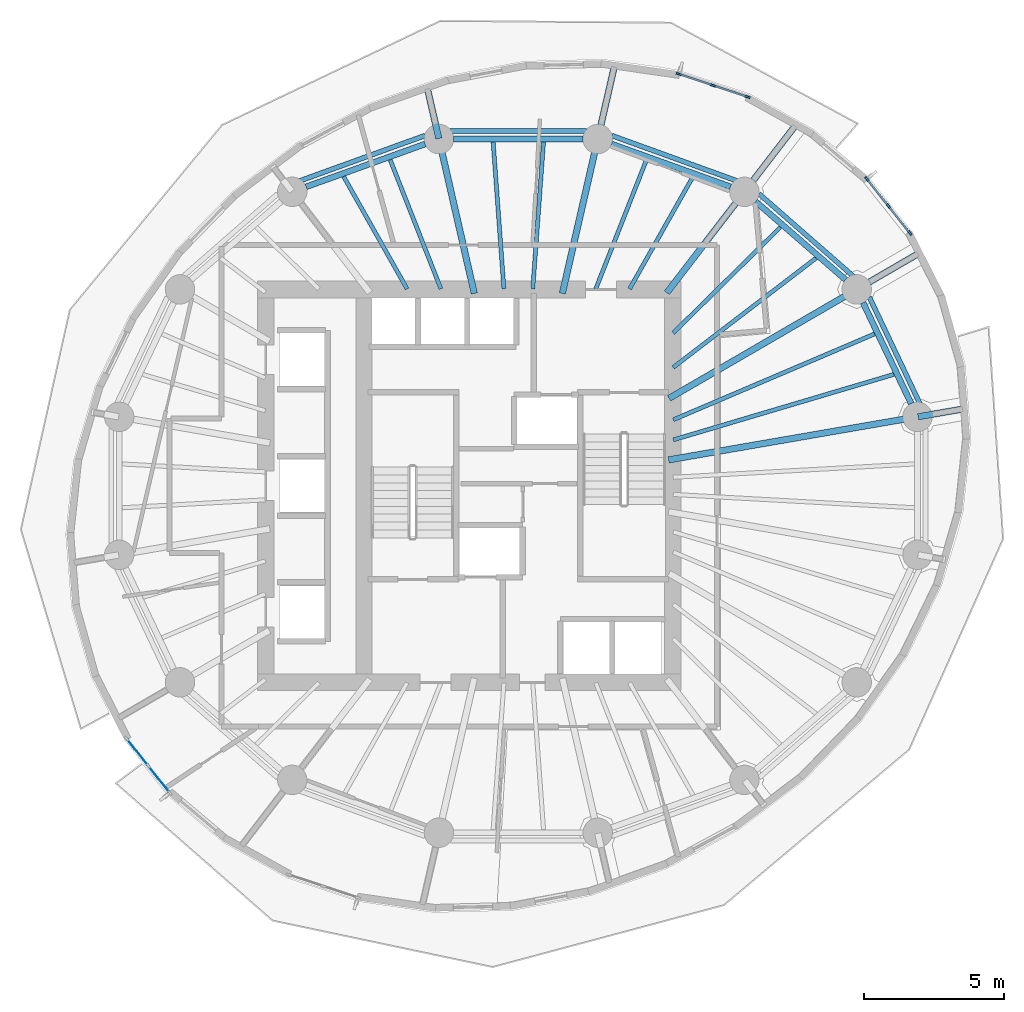
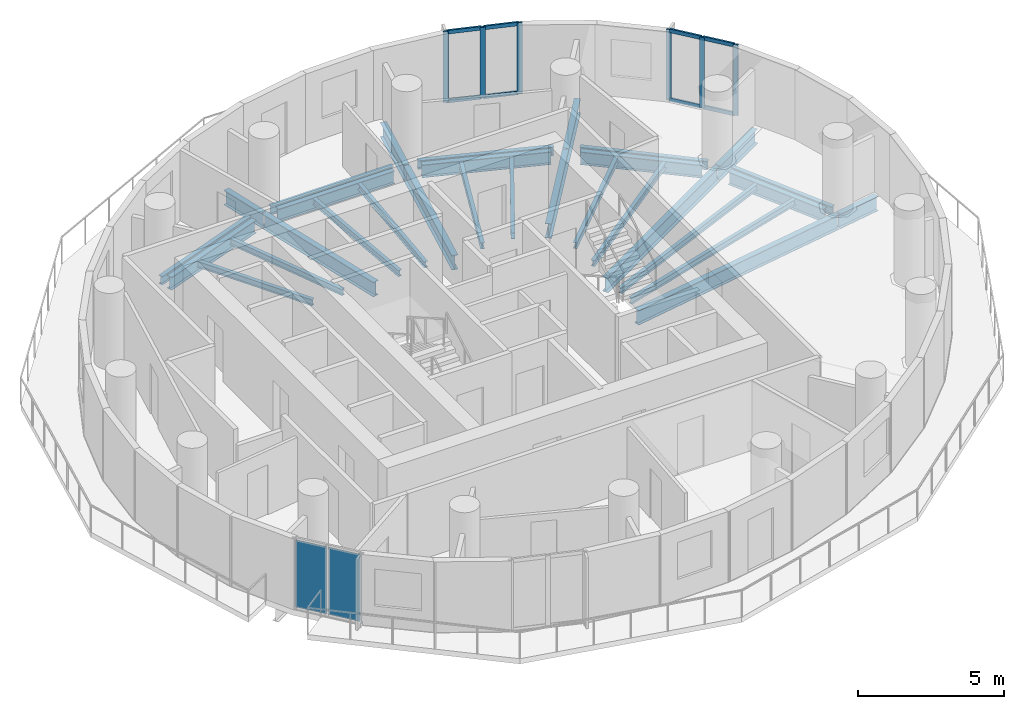
# One storey, part 3 of 12: 30 beams, 14 members, 2 plates, 3 elements without a shape of their own.
"""IFC4 building model written with IfcOpenShell, lengths in metres."""

import ifcopenshell
import ifcopenshell.guid

model = None  # the IFC model being written
_history = None  # IfcOwnerHistory: only IFC2X3 demands one
_inside = {}  # id of a spatial element -> (the spatial element, [elements in it])
_under = {}  # id of a project, library or spatial element -> (it, [spatial elements below it])
_declared = {}  # id of a project -> (the project, [libraries it declares])
_typed = {}  # id of a type object -> (the type object, [elements of that type])
_made_of = {}  # id of a material, layer set ... -> (it, [elements and type objects made of it])


def new_model(schema):
    """Start an empty IFC model of exactly this schema.

    Asked for "IFC4X3", IfcOpenShell would pick the latest addendum, in which some entities
    have other attributes; the version numbers below select the first issue.
    IFC2X3 requires an IfcOwnerHistory on every rooted entity: one is made here for all.
    """
    global model, _history
    if schema == "IFC4X3":
        model = ifcopenshell.file(schema_version=(4, 3, 0, 0))
    else:
        model = ifcopenshell.file(schema=schema)
    _inside.clear()
    _under.clear()
    _declared.clear()
    _typed.clear()
    _made_of.clear()
    _history = None
    if model.schema == "IFC2X3":
        org = make("IfcOrganization", Name="unknown")
        user = make(
            "IfcPersonAndOrganization",
            ThePerson=make("IfcPerson", FamilyName="unknown"),
            TheOrganization=org,
        )
        app = make(
            "IfcApplication",
            ApplicationDeveloper=org,
            Version="unknown",
            ApplicationFullName="unknown",
            ApplicationIdentifier="unknown",
        )
        _history = make(
            "IfcOwnerHistory",
            OwningUser=user,
            OwningApplication=app,
            ChangeAction="ADDED",
            CreationDate=0,
        )
    return model


def make(cls, **values):
    """One entity of the class cls with the attributes given. An attribute that is None is left unset."""
    return model.create_entity(
        cls, **{name: value for name, value in values.items() if value is not None}
    )


def rooted(cls, **values):
    """An entity with a GlobalId (a new one), such as an element, a storey or a relation."""
    return make(cls, GlobalId=ifcopenshell.guid.new(), OwnerHistory=_history, **values)


def si_unit(unit_type, name, prefix=None):
    """IfcSIUnit, for example si_unit("LENGTHUNIT", "METRE", prefix="MILLI")."""
    return make("IfcSIUnit", UnitType=unit_type, Prefix=prefix, Name=name)


def assignment(units):
    """IfcUnitAssignment: the units of a project."""
    return None if units is None else make("IfcUnitAssignment", Units=units)


def point(xyz):
    """IfcCartesianPoint."""
    return None if xyz is None else make("IfcCartesianPoint", Coordinates=xyz)


def direction(xyz):
    """IfcDirection."""
    return None if xyz is None else make("IfcDirection", DirectionRatios=xyz)


def frame(location, z_axis=None, x_axis=None):
    """IfcAxis2Placement3D, a coordinate frame: its origin and axes. An axis left out is left unset."""
    return make(
        "IfcAxis2Placement3D",
        Location=point(location),
        Axis=direction(z_axis),
        RefDirection=direction(x_axis),
    )


def frame_2d(location, x_axis=None):
    """IfcAxis2Placement2D, a coordinate frame in the plane: its origin and x axis."""
    return make(
        "IfcAxis2Placement2D", Location=point(location), RefDirection=direction(x_axis)
    )


def origin():
    """The frame at (0, 0, 0) with its axes left unset."""
    return frame((0.0, 0.0, 0.0))


def origin_2d():
    """The frame at (0, 0) in the plane with its x axis left unset."""
    return frame_2d((0.0, 0.0))


def place(relative_to, where):
    """IfcLocalPlacement: puts the frame where relative to a parent placement (None: the world)."""
    return make(
        "IfcLocalPlacement", PlacementRelTo=relative_to, RelativePlacement=where
    )


def context(
    kind, dimensions, precision=None, world=None, true_north=None, identifier=None
):
    """IfcGeometricRepresentationContext, for example the 3D "Model" context."""
    return make(
        "IfcGeometricRepresentationContext",
        ContextIdentifier=identifier,
        ContextType=kind,
        CoordinateSpaceDimension=dimensions,
        Precision=precision,
        WorldCoordinateSystem=world,
        TrueNorth=true_north,
    )


def subcontext(parent, identifier, kind, view, scale=None):
    """IfcGeometricRepresentationSubContext, for example "Body" below "Model"."""
    return make(
        "IfcGeometricRepresentationSubContext",
        ContextIdentifier=identifier,
        ContextType=kind,
        ParentContext=parent,
        TargetScale=scale,
        TargetView=view,
    )


def project(units=None, contexts=None):
    """IfcProject with its units and contexts."""
    return rooted(
        "IfcProject",
        Name="project",
        RepresentationContexts=contexts,
        UnitsInContext=assignment(units),
    )


def spatial(cls, under=None, at=None, **own):
    """A site, building, storey or space (cls), placed at a placement, below another one or the project."""
    s = rooted(cls, ObjectPlacement=at, **own)
    if under is not None:
        _under.setdefault(under.id(), (under, []))[1].append(s)
    return s


def profile(cls, at=None, kind="AREA", **sizes):
    """A parametric profile (cls). Its sizes go by their IFC names, for example OverallWidth=200.0."""
    return make(cls, ProfileType=kind, Position=at, **sizes)


def rectangle(**sizes):
    """IfcRectangleProfileDef."""
    return profile("IfcRectangleProfileDef", **sizes)


def i_section(**sizes):
    """IfcIShapeProfileDef."""
    return profile("IfcIShapeProfileDef", **sizes)


def extrude(swept, where, along, depth):
    """IfcExtrudedAreaSolid: the profile swept, set in the frame where, extruded along a direction by depth."""
    return make(
        "IfcExtrudedAreaSolid",
        SweptArea=swept,
        Position=where,
        ExtrudedDirection=direction(along),
        Depth=depth,
    )


def shape(context_of_items, identifier, shape_type, items):
    """IfcShapeRepresentation: the items that make up one representation, for example the "Body"."""
    return make(
        "IfcShapeRepresentation",
        ContextOfItems=context_of_items,
        RepresentationIdentifier=identifier,
        RepresentationType=shape_type,
        Items=items,
    )


def material(Name=None, Category=None):
    """IfcMaterial."""
    return make("IfcMaterial", Name=Name, Category=Category)


def layer(
    of_material, thickness, ventilated=None, Name=None, Category=None, Priority=None
):
    """IfcMaterialLayer: one layer of a wall or slab, of a material (None: an air gap)."""
    return make(
        "IfcMaterialLayer",
        Material=of_material,
        LayerThickness=thickness,
        IsVentilated=ventilated,
        Name=Name,
        Category=Category,
        Priority=Priority,
    )


def layer_set(layers, Name=None):
    """IfcMaterialLayerSet."""
    return make("IfcMaterialLayerSet", MaterialLayers=layers, LayerSetName=Name)


def material_profile(
    of_material, cross_section, Name=None, Category=None, Priority=None
):
    """IfcMaterialProfile: a cross section and its material."""
    return make(
        "IfcMaterialProfile",
        Name=Name,
        Material=of_material,
        Profile=cross_section,
        Priority=Priority,
        Category=Category,
    )


def profile_set(profiles, Name=None, composite=None):
    """IfcMaterialProfileSet."""
    return make(
        "IfcMaterialProfileSet",
        Name=Name,
        MaterialProfiles=profiles,
        CompositeProfile=composite,
    )


def made_of(thing, what):
    """Note that an element or type object is made of a material, layer set ...; save() writes the relation."""
    if what is not None:
        _made_of.setdefault(what.id(), (what, []))[1].append(thing)
    return thing


def type_object(cls, material=None, **own):
    """A type object (cls), such as IfcWallType, which elements share."""
    return made_of(rooted(cls, **own), material)


def element(
    cls,
    number,
    at=None,
    inside=None,
    cuts=None,
    type_object=None,
    material=None,
    context=None,
    identifier="Body",
    shape_type=None,
    held_by="IfcProductDefinitionShape",
    body=None,
    shapes=None,
    **own,
):
    """One element of the class cls, such as IfcWall. Its Tag is "e" and its number.

    at: its placement. inside: the storey or other place that contains it. cuts: it is an
    opening in that element (IfcRelVoidsElement). A single representation is given by context,
    identifier, shape_type and body (its items); several are given by shapes. held_by: the class
    of the entity that holds the representations. save() writes the other relations.
    """
    e = rooted(cls, Tag="e%d" % number, ObjectPlacement=at, **own)
    if body is not None:
        shapes = [shape(context, identifier, shape_type, body)]
    if shapes is not None:
        e.Representation = make(held_by, Representations=shapes)
    if inside is not None:
        _inside.setdefault(inside.id(), (inside, []))[1].append(e)
    if cuts is not None:
        rooted(
            "IfcRelVoidsElement", RelatingBuildingElement=cuts, RelatedOpeningElement=e
        )
    if type_object is not None:
        _typed.setdefault(type_object.id(), (type_object, []))[1].append(e)
    return made_of(e, material)


def aggregate(whole, parts):
    """IfcRelAggregates: a whole, such as a stair, and the parts it consists of."""
    return rooted("IfcRelAggregates", RelatingObject=whole, RelatedObjects=parts)


def save(model, path):
    """Write the relations noted so far, then the file.

    IfcRelAggregates (storeys below a building ...), IfcRelContainedInSpatialStructure (elements
    in a storey), IfcRelDefinesByType, IfcRelAssociatesMaterial and IfcRelDeclares: one each for
    every whole, place, type object, material and project.
    """
    for whole, parts in _under.values():
        aggregate(whole, parts)
    for where, things in _inside.values():
        rooted(
            "IfcRelContainedInSpatialStructure",
            RelatedElements=things,
            RelatingStructure=where,
        )
    for kind, things in _typed.values():
        rooted("IfcRelDefinesByType", RelatedObjects=things, RelatingType=kind)
    for what, things in _made_of.values():
        rooted("IfcRelAssociatesMaterial", RelatedObjects=things, RelatingMaterial=what)
    for by, libraries in _declared.values():
        rooted("IfcRelDeclares", RelatingContext=by, RelatedDefinitions=libraries)
    model.write(path)


model = new_model("IFC4")

# Units and contexts
model_context = context("Model", 3, precision=1e-05, world=origin(), true_north=direction((0.0, 1.0)))
body_context = subcontext(model_context, "Body", "Model", "MODEL_VIEW")
ifc_project = project(units=[si_unit("LENGTHUNIT", "METRE"), si_unit("AREAUNIT", "SQUARE_METRE"), si_unit("VOLUMEUNIT", "CUBIC_METRE"), si_unit("PLANEANGLEUNIT", "RADIAN"), si_unit("MASSUNIT", "GRAM", prefix="KILO")], contexts=[model_context])

# Site, building, storey
site_placement = place(None, origin())
site = spatial("IfcSite", under=ifc_project, at=site_placement, CompositionType="ELEMENT")
building_placement = place(site_placement, origin())
building = spatial("IfcBuilding", under=site, at=building_placement, Name="Veldorim Arch Residences", CompositionType="ELEMENT")
storey_placement = place(building_placement, frame((0.0, 0.0, 139.360107421875)))
storey = spatial("IfcBuildingStorey", under=building, at=storey_placement, Name="L41", CompositionType="ELEMENT", Elevation=139.360107421875)

# Beams
ifc_material_1 = material(Name="Steel S355", Category="steel")
ifc_material_profile_1 = material_profile(ifc_material_1, i_section(OverallWidth=0.2099609375, OverallDepth=0.53662109375, WebThickness=0.0107421875, FlangeThickness=0.017333984375, at=origin_2d()), Name="UB533x210x101")
ifc_profile_set_1 = profile_set([ifc_material_profile_1], Name="Steel S355")
beam_type_1 = type_object("IfcBeamType", Name="Structural Steel Beam UB533x210x101", PredefinedType="BEAM", material=ifc_profile_set_1)
beam_1_placement = place(storey_placement, frame((45.99560546875, 26.931884765625, -0.50830078125), z_axis=(-0.43028577851, 0.902692721147, 0.0), x_axis=(-0.902692721147, -0.43028577851, 0.0)))
element("IfcBeam", 1, at=beam_1_placement, inside=storey, type_object=beam_type_1, Name="L41 perimeter ring tie beam 01", PredefinedType="BEAM", context=body_context, shape_type="SweptSolid", body=[
    extrude(i_section(OverallWidth=0.2099609375, OverallDepth=0.53662109375, WebThickness=0.0107421875, FlangeThickness=0.017333984375, at=origin_2d()), origin(), (0.0, 0.0, 1.0), 3.98193359375),
])
beam_2_placement = place(storey_placement, frame((43.659912109375, 31.344482421875, -0.50830078125), z_axis=(-0.754810789581, 0.655942582802, 0.0), x_axis=(-0.655942582802, -0.754810789581, 0.0)))
element("IfcBeam", 2, at=beam_2_placement, inside=storey, type_object=beam_type_1, Name="L41 perimeter ring tie beam 02", PredefinedType="BEAM", context=body_context, shape_type="SweptSolid", body=[
    extrude(i_section(OverallWidth=0.2099609375, OverallDepth=0.53662109375, WebThickness=0.0107421875, FlangeThickness=0.017333984375, at=origin_2d()), origin(), (0.0, 0.0, 1.0), 4.249755859375),
])
beam_3_placement = place(storey_placement, frame((39.561767578125, 34.654296875, -0.50830078125), z_axis=(-0.940899155006, 0.338686846673, 0.0), x_axis=(-0.338686846673, -0.940899155006, 0.0)))
element("IfcBeam", 3, at=beam_3_placement, inside=storey, type_object=beam_type_1, Name="L41 perimeter ring tie beam 03", PredefinedType="BEAM", context=body_context, shape_type="SweptSolid", body=[
    extrude(i_section(OverallWidth=0.2099609375, OverallDepth=0.53662109375, WebThickness=0.0107421875, FlangeThickness=0.017333984375, at=origin_2d()), origin(), (0.0, 0.0, 1.0), 4.50537109375),
])
beam_4_placement = place(storey_placement, frame((34.3037109375, 36.35791015625, -0.50830078125), z_axis=(-1.0, 0.0, 0.0), x_axis=(0.0, -1.0, 0.0)))
element("IfcBeam", 4, at=beam_4_placement, inside=storey, type_object=beam_type_1, Name="L41 perimeter ring tie beam 04", PredefinedType="BEAM", context=body_context, shape_type="SweptSolid", body=[
    extrude(i_section(OverallWidth=0.2099609375, OverallDepth=0.53662109375, WebThickness=0.0107421875, FlangeThickness=0.017333984375, at=origin_2d()), origin(), (0.0, 0.0, 1.0), 4.607421875),
])
beam_5_placement = place(storey_placement, frame((28.67724609375, 36.18017578125, -0.50830078125), z_axis=(-0.940899155006, -0.338686846673, 0.0), x_axis=(0.338686846673, -0.940899155006, 0.0)))
element("IfcBeam", 5, at=beam_5_placement, inside=storey, type_object=beam_type_1, Name="L41 perimeter ring tie beam 05", PredefinedType="BEAM", context=body_context, shape_type="SweptSolid", body=[
    extrude(i_section(OverallWidth=0.2099609375, OverallDepth=0.53662109375, WebThickness=0.0107421875, FlangeThickness=0.017333984375, at=origin_2d()), origin(), (0.0, 0.0, 1.0), 4.50537109375),
])
ifc_material_2 = material(Name="Steel S355", Category="steel")
ifc_material_profile_2 = material_profile(ifc_material_2, i_section(OverallWidth=0.22900390625, OverallDepth=0.6123046875, WebThickness=0.011962890625, FlangeThickness=0.01953125, at=origin_2d()), Name="UB610x229x125")
ifc_profile_set_2 = profile_set([ifc_material_profile_2], Name="Steel S355")
beam_type_2 = type_object("IfcBeamType", Name="Structural Steel Beam UB610x229x125", PredefinedType="BEAM", material=ifc_profile_set_2)
beam_6_placement = place(storey_placement, frame((37.352294921875, 24.925048828125, -0.546142578125), z_axis=(0.985389398766, 0.170316566427, 0.0), x_axis=(-0.170316566427, 0.985389398766, 0.0)))
element("IfcBeam", 6, at=beam_6_placement, inside=storey, type_object=beam_type_2, Name="L41 radial floor girder 01", PredefinedType="BEAM", context=body_context, shape_type="SweptSolid", body=[
    extrude(i_section(OverallWidth=0.22900390625, OverallDepth=0.6123046875, WebThickness=0.011962890625, FlangeThickness=0.01953125, at=origin_2d()), origin(), (0.0, 0.0, 1.0), 8.98046875),
])
beam_7_placement = place(storey_placement, frame((46.2412109375, 26.46142578125, -0.546142578125), z_axis=(0.985381722232, 0.170360974082, 0.0), x_axis=(-0.170360974082, 0.985381722232, 0.0)))
element("IfcBeam", 7, at=beam_7_placement, inside=storey, type_object=beam_type_2, Name="L41 radial edge cantilever girder 01", PredefinedType="BEAM", context=body_context, shape_type="SweptSolid", body=[
    extrude(i_section(OverallWidth=0.22900390625, OverallDepth=0.6123046875, WebThickness=0.011962890625, FlangeThickness=0.01953125, at=origin_2d()), origin(), (0.0, 0.0, 1.0), 1.6923828125),
])
beam_8_placement = place(storey_placement, frame((37.370361328125, 27.1181640625, -0.546142578125), z_axis=(0.864793381443, 0.502127879542, 0.0), x_axis=(-0.502127879542, 0.864793381443, 0.0)))
element("IfcBeam", 8, at=beam_8_placement, inside=storey, type_object=beam_type_2, Name="L41 radial floor girder 02", PredefinedType="BEAM", context=body_context, shape_type="SweptSolid", body=[
    extrude(i_section(OverallWidth=0.22900390625, OverallDepth=0.6123046875, WebThickness=0.011962890625, FlangeThickness=0.01953125, at=origin_2d()), origin(), (0.0, 0.0, 1.0), 7.71142578125),
])
beam_9_placement = place(storey_placement, frame((44.073486328125, 31.01025390625, -0.546142578125), z_axis=(0.864786295309, 0.502140083488, 0.0), x_axis=(-0.502140083488, 0.864786295309, 0.0)))
element("IfcBeam", 9, at=beam_9_placement, inside=storey, type_object=beam_type_2, Name="L41 radial edge cantilever girder 02", PredefinedType="BEAM", context=body_context, shape_type="SweptSolid", body=[
    extrude(i_section(OverallWidth=0.22900390625, OverallDepth=0.6123046875, WebThickness=0.011962890625, FlangeThickness=0.01953125, at=origin_2d()), origin(), (0.0, 0.0, 1.0), 2.579833984375),
])
beam_10_placement = place(storey_placement, frame((37.291259765625, 30.881103515625, -0.546142578125), z_axis=(0.609559199361, 0.792740551804, 0.0), x_axis=(-0.792740551804, 0.609559199361, 0.0)))
element("IfcBeam", 10, at=beam_10_placement, inside=storey, type_object=beam_type_2, Name="L41 radial floor girder 03", PredefinedType="BEAM", context=body_context, shape_type="SweptSolid", body=[
    extrude(i_section(OverallWidth=0.22900390625, OverallDepth=0.6123046875, WebThickness=0.011962890625, FlangeThickness=0.01953125, at=origin_2d()), origin(), (0.0, 0.0, 1.0), 4.515380859375),
])
beam_11_placement = place(storey_placement, frame((40.068115234375, 34.492431640625, -0.546142578125), z_axis=(0.609562364778, 0.792738117821, 0.0), x_axis=(-0.792738117821, 0.609562364778, 0.0)))
element("IfcBeam", 11, at=beam_11_placement, inside=storey, type_object=beam_type_2, Name="L41 radial edge cantilever girder 03", PredefinedType="BEAM", context=body_context, shape_type="SweptSolid", body=[
    extrude(i_section(OverallWidth=0.22900390625, OverallDepth=0.6123046875, WebThickness=0.011962890625, FlangeThickness=0.01953125, at=origin_2d()), origin(), (0.0, 0.0, 1.0), 3.021484375),
])
beam_12_placement = place(storey_placement, frame((33.56884765625, 30.853759765625, -0.546142578125), z_axis=(0.223119342184, 0.974791136164, 0.0), x_axis=(-0.974791136164, 0.223119342184, 0.0)))
element("IfcBeam", 12, at=beam_12_placement, inside=storey, type_object=beam_type_2, Name="L41 radial floor girder 04", PredefinedType="BEAM", context=body_context, shape_type="SweptSolid", body=[
    extrude(i_section(OverallWidth=0.22900390625, OverallDepth=0.6123046875, WebThickness=0.011962890625, FlangeThickness=0.01953125, at=origin_2d()), origin(), (0.0, 0.0, 1.0), 5.62646484375),
])
beam_13_placement = place(storey_placement, frame((34.833251953125, 36.37744140625, -0.546142578125), z_axis=(0.223142644538, 0.974785802209, 0.0), x_axis=(-0.974785802209, 0.223142644538, 0.0)))
element("IfcBeam", 13, at=beam_13_placement, inside=storey, type_object=beam_type_2, Name="L41 radial edge cantilever girder 04", PredefinedType="BEAM", context=body_context, shape_type="SweptSolid", body=[
    extrude(i_section(OverallWidth=0.22900390625, OverallDepth=0.6123046875, WebThickness=0.011962890625, FlangeThickness=0.01953125, at=origin_2d()), origin(), (0.0, 0.0, 1.0), 2.6904296875),
])
beam_14_placement = place(storey_placement, frame((30.43115234375, 30.853759765625, -0.546142578125), z_axis=(-0.223119342184, 0.974791136164, 0.0), x_axis=(-0.974791136164, -0.223119342184, 0.0)))
element("IfcBeam", 14, at=beam_14_placement, inside=storey, type_object=beam_type_2, Name="L41 radial floor girder 05", PredefinedType="BEAM", context=body_context, shape_type="SweptSolid", body=[
    extrude(i_section(OverallWidth=0.22900390625, OverallDepth=0.6123046875, WebThickness=0.011962890625, FlangeThickness=0.01953125, at=origin_2d()), origin(), (0.0, 0.0, 1.0), 5.62646484375),
])
beam_15_placement = place(storey_placement, frame((29.166748046875, 36.37744140625, -0.546142578125), z_axis=(-0.223112606044, 0.97479267797, 0.0), x_axis=(-0.97479267797, -0.223112606044, 0.0)))
element("IfcBeam", 15, at=beam_15_placement, inside=storey, type_object=beam_type_2, Name="L41 radial edge cantilever girder 05", PredefinedType="BEAM", context=body_context, shape_type="SweptSolid", body=[
    extrude(i_section(OverallWidth=0.22900390625, OverallDepth=0.6123046875, WebThickness=0.011962890625, FlangeThickness=0.01953125, at=origin_2d()), origin(), (0.0, 0.0, 1.0), 1.888671875),
])
ifc_material_3 = material(Name="Steel S355", Category="steel")
ifc_material_profile_3 = material_profile(ifc_material_3, i_section(OverallWidth=0.146484375, OverallDepth=0.256103515625, WebThickness=0.00634765625, FlangeThickness=0.010986328125, at=origin_2d()), Name="UB254x146x37")
ifc_profile_set_3 = profile_set([ifc_material_profile_3], Name="Steel S355")
beam_type_3 = type_object("IfcBeamType", Name="Structural Steel Joist UB254x146x37", PredefinedType="JOIST", material=ifc_profile_set_3)
beam_16_placement = place(storey_placement, frame((37.519287109375, 25.63818359375, -0.3681640625), z_axis=(0.958674276305, 0.284505943614, 0.0), x_axis=(-0.284505943614, 0.958674276305, 0.0)))
element("IfcBeam", 16, at=beam_16_placement, inside=storey, type_object=beam_type_3, Name="L41 secondary radial floor joist 01-1", PredefinedType="JOIST", context=body_context, shape_type="SweptSolid", body=[
    extrude(i_section(OverallWidth=0.146484375, OverallDepth=0.256103515625, WebThickness=0.00634765625, FlangeThickness=0.010986328125, at=origin_2d()), origin(), (0.0, 0.0, 1.0), 8.2001953125),
])
beam_17_placement = place(storey_placement, frame((37.518310546875, 26.353515625, -0.3681640625), z_axis=(0.919831795434, 0.39231297214, 0.0), x_axis=(-0.39231297214, 0.919831795434, 0.0)))
element("IfcBeam", 17, at=beam_17_placement, inside=storey, type_object=beam_type_3, Name="L41 secondary radial floor joist 01-2", PredefinedType="JOIST", context=body_context, shape_type="SweptSolid", body=[
    extrude(i_section(OverallWidth=0.146484375, OverallDepth=0.256103515625, WebThickness=0.00634765625, FlangeThickness=0.010986328125, at=origin_2d()), origin(), (0.0, 0.0, 1.0), 7.798828125),
])
beam_18_placement = place(storey_placement, frame((37.515869140625, 28.219482421875, -0.3681640625), z_axis=(0.794267053144, 0.607568801281, 0.0), x_axis=(-0.607568801281, 0.794267053144, 0.0)))
element("IfcBeam", 18, at=beam_18_placement, inside=storey, type_object=beam_type_3, Name="L41 secondary radial floor joist 02-1", PredefinedType="JOIST", context=body_context, shape_type="SweptSolid", body=[
    extrude(i_section(OverallWidth=0.146484375, OverallDepth=0.256103515625, WebThickness=0.00634765625, FlangeThickness=0.010986328125, at=origin_2d()), origin(), (0.0, 0.0, 1.0), 6.412841796875),
])
beam_19_placement = place(storey_placement, frame((37.51416015625, 29.443115234375, -0.3681640625), z_axis=(0.711703457158, 0.702480027523, 0.0), x_axis=(-0.702480027523, 0.711703457158, 0.0)))
element("IfcBeam", 19, at=beam_19_placement, inside=storey, type_object=beam_type_3, Name="L41 secondary radial floor joist 02-2", PredefinedType="JOIST", context=body_context, shape_type="SweptSolid", body=[
    extrude(i_section(OverallWidth=0.146484375, OverallDepth=0.256103515625, WebThickness=0.00634765625, FlangeThickness=0.010986328125, at=origin_2d()), origin(), (0.0, 0.0, 1.0), 5.373291015625),
])
beam_20_placement = place(storey_placement, frame((35.96337890625, 31.017333984375, -0.3681640625), z_axis=(0.491815801586, 0.870699269157, 0.0), x_axis=(-0.870699269157, 0.491815801586, 0.0)))
element("IfcBeam", 20, at=beam_20_placement, inside=storey, type_object=beam_type_3, Name="L41 secondary radial floor joist 03-1", PredefinedType="JOIST", context=body_context, shape_type="SweptSolid", body=[
    extrude(i_section(OverallWidth=0.146484375, OverallDepth=0.256103515625, WebThickness=0.00634765625, FlangeThickness=0.010986328125, at=origin_2d()), origin(), (0.0, 0.0, 1.0), 4.59814453125),
])
beam_21_placement = place(storey_placement, frame((34.7587890625, 31.0185546875, -0.3681640625), z_axis=(0.365777738491, 0.930702232739, 0.0), x_axis=(-0.930702232739, 0.365777738491, 0.0)))
element("IfcBeam", 21, at=beam_21_placement, inside=storey, type_object=beam_type_3, Name="L41 secondary radial floor joist 03-2", PredefinedType="JOIST", context=body_context, shape_type="SweptSolid", body=[
    extrude(i_section(OverallWidth=0.146484375, OverallDepth=0.256103515625, WebThickness=0.00634765625, FlangeThickness=0.010986328125, at=origin_2d()), origin(), (0.0, 0.0, 1.0), 4.9404296875),
])
for number, where, z_axis, x_axis, name in (
    (22, (32.51416015625, 31.02001953125, -0.3681640625), (0.073060364166, 0.997327520521, 0.0), (-0.997327520521, 0.073060364166, 0.0), "L41 secondary radial floor joist 04-1"),
    (23, (31.48583984375, 31.02001953125, -0.3681640625), (-0.073060364166, 0.997327520521, 0.0), (-0.997327520521, -0.073060364166, 0.0), "L41 secondary radial floor joist 04-2"),
):
    element("IfcBeam", number, at=place(storey_placement, frame(where, z_axis=z_axis, x_axis=x_axis)), inside=storey, type_object=beam_type_3, Name=name, PredefinedType="JOIST", context=body_context, shape_type="SweptSolid", body=[
        extrude(i_section(OverallWidth=0.146484375, OverallDepth=0.256103515625, WebThickness=0.00634765625, FlangeThickness=0.010986328125, at=origin_2d()), origin(), (0.0, 0.0, 1.0), 5.242919921875),
    ])
beam_22_placement = place(storey_placement, frame((29.2412109375, 31.0185546875, -0.3681640625), z_axis=(-0.365777738491, 0.930702232739, 0.0), x_axis=(-0.930702232739, -0.365777738491, 0.0)))
element("IfcBeam", 24, at=beam_22_placement, inside=storey, type_object=beam_type_3, Name="L41 secondary radial floor joist 05-1", PredefinedType="JOIST", context=body_context, shape_type="SweptSolid", body=[
    extrude(i_section(OverallWidth=0.146484375, OverallDepth=0.256103515625, WebThickness=0.00634765625, FlangeThickness=0.010986328125, at=origin_2d()), origin(), (0.0, 0.0, 1.0), 4.9404296875),
])
beam_23_placement = place(storey_placement, frame((28.03662109375, 31.017333984375, -0.3681640625), z_axis=(-0.491815801586, 0.870699269157, 0.0), x_axis=(-0.870699269157, -0.491815801586, 0.0)))
element("IfcBeam", 25, at=beam_23_placement, inside=storey, type_object=beam_type_3, Name="L41 secondary radial floor joist 05-2", PredefinedType="JOIST", context=body_context, shape_type="SweptSolid", body=[
    extrude(i_section(OverallWidth=0.146484375, OverallDepth=0.256103515625, WebThickness=0.00634765625, FlangeThickness=0.010986328125, at=origin_2d()), origin(), (0.0, 0.0, 1.0), 4.59814453125),
])
ifc_material_4 = material(Name="Steel S355", Category="steel")
ifc_material_profile_4 = material_profile(ifc_material_4, i_section(OverallWidth=0.172119140625, OverallDepth=0.35791015625, WebThickness=0.008056640625, FlangeThickness=0.012939453125, at=origin_2d()), Name="UB356x171x57")
ifc_profile_set_4 = profile_set([ifc_material_profile_4], Name="Steel S355")
beam_type_4 = type_object("IfcBeamType", Name="Structural Steel Spandrel UB356x171x57", PredefinedType="SPANDREL", material=ifc_profile_set_4)
beam_24_placement = place(storey_placement, frame((46.307861328125, 26.9248046875, -0.439208984375), z_axis=(-0.428579957662, 0.903503857153, 0.0), x_axis=(-0.903503857153, -0.428579957662, 0.0)))
element("IfcBeam", 26, at=beam_24_placement, inside=storey, type_object=beam_type_4, Name="L41 perimeter chord spandrel beam 01", PredefinedType="SPANDREL", context=body_context, shape_type="SweptSolid", body=[
    extrude(i_section(OverallWidth=0.172119140625, OverallDepth=0.35791015625, WebThickness=0.008056640625, FlangeThickness=0.012939453125, at=origin_2d()), origin(), (0.0, 0.0, 1.0), 4.209228515625),
])
beam_25_placement = place(storey_placement, frame((43.9580078125, 31.44921875, -0.439208984375), z_axis=(-0.753014748982, 0.658003638148, 0.0), x_axis=(-0.658003638148, -0.753014748982, 0.0)))
element("IfcBeam", 27, at=beam_25_placement, inside=storey, type_object=beam_type_4, Name="L41 perimeter chord spandrel beam 02", PredefinedType="SPANDREL", context=body_context, shape_type="SweptSolid", body=[
    extrude(i_section(OverallWidth=0.172119140625, OverallDepth=0.35791015625, WebThickness=0.008056640625, FlangeThickness=0.012939453125, at=origin_2d()), origin(), (0.0, 0.0, 1.0), 4.486572265625),
])
beam_26_placement = place(storey_placement, frame((39.79736328125, 34.86279296875, -0.439208984375), z_axis=(-0.940212553113, 0.340588248429, 0.0), x_axis=(-0.340588248429, -0.940212553113, 0.0)))
element("IfcBeam", 28, at=beam_26_placement, inside=storey, type_object=beam_type_4, Name="L41 perimeter chord spandrel beam 03", PredefinedType="SPANDREL", context=body_context, shape_type="SweptSolid", body=[
    extrude(i_section(OverallWidth=0.172119140625, OverallDepth=0.35791015625, WebThickness=0.008056640625, FlangeThickness=0.012939453125, at=origin_2d()), origin(), (0.0, 0.0, 1.0), 4.75390625),
])
beam_27_placement = place(storey_placement, frame((34.43115234375, 36.639404296875, -0.439208984375), z_axis=(-1.0, 0.0, 0.0), x_axis=(0.0, -1.0, 0.0)))
element("IfcBeam", 29, at=beam_27_placement, inside=storey, type_object=beam_type_4, Name="L41 perimeter chord spandrel beam 04", PredefinedType="SPANDREL", context=body_context, shape_type="SweptSolid", body=[
    extrude(i_section(OverallWidth=0.172119140625, OverallDepth=0.35791015625, WebThickness=0.008056640625, FlangeThickness=0.012939453125, at=origin_2d()), origin(), (0.0, 0.0, 1.0), 4.8623046875),
])
beam_28_placement = place(storey_placement, frame((28.67236328125, 36.48193359375, -0.439208984375), z_axis=(-0.940212553113, -0.340588248429, 0.0), x_axis=(0.340588248429, -0.940212553113, 0.0)))
element("IfcBeam", 30, at=beam_28_placement, inside=storey, type_object=beam_type_4, Name="L41 perimeter chord spandrel beam 05", PredefinedType="SPANDREL", context=body_context, shape_type="SweptSolid", body=[
    extrude(i_section(OverallWidth=0.172119140625, OverallDepth=0.35791015625, WebThickness=0.008056640625, FlangeThickness=0.012939453125, at=origin_2d()), origin(), (0.0, 0.0, 1.0), 4.75390625),
])

# Curtain wall, members
ifc_material_5 = material(Name="Aluminium", Category="aluminium")
curtain_wall_type = type_object("IfcCurtainWallType", Name="Zone 3 High-Wind Unitised Curtain Wall", PredefinedType="NOTDEFINED", material=ifc_material_5)
curtain_wall_1_placement = place(storey_placement, origin())
curtain_wall_1 = element("IfcCurtainWall", 31, at=curtain_wall_1_placement, inside=storey, type_object=curtain_wall_type, Name="L41 unitised curtain wall bay 01", PredefinedType="NOTDEFINED")
ifc_material_6 = material(Name="Aluminium", Category="aluminium")
ifc_material_profile_5 = material_profile(ifc_material_6, rectangle(XDim=0.070068359375, YDim=0.179931640625, at=origin_2d()), Name="ALU_MUL_70x180")
ifc_profile_set_5 = profile_set([ifc_material_profile_5], Name="Aluminium")
member_type_1 = type_object("IfcMemberType", Name="Zone 3 High-Wind Unitised Curtain Wall Mullion 70x180", PredefinedType="MULLION", material=ifc_profile_set_5)
member_1_placement = place(storey_placement, frame((44.41748046875, 34.9365234375, 0.0), z_axis=(0.0, 0.0, 1.0), x_axis=(0.782556048079, 0.622580140716, 0.0)))
member_1 = element("IfcMember", 32, at=member_1_placement, type_object=member_type_1, Name="CW-Z3 mullion 1", PredefinedType="MULLION", context=body_context, shape_type="SweptSolid", body=[
    extrude(rectangle(XDim=0.070068359375, YDim=0.179931640625, at=origin_2d()), origin(), (0.0, 0.0, 1.0), 2.9599609375),
])
member_2_placement = place(storey_placement, frame((45.1845703125, 33.97216796875, 0.0), z_axis=(0.0, 0.0, 1.0), x_axis=(0.782556048079, 0.622580140716, 0.0)))
member_2 = element("IfcMember", 33, at=member_2_placement, type_object=member_type_1, Name="CW-Z3 mullion 2", PredefinedType="MULLION", context=body_context, shape_type="SweptSolid", body=[
    extrude(rectangle(XDim=0.070068359375, YDim=0.179931640625, at=origin_2d()), origin(), (0.0, 0.0, 1.0), 2.9599609375),
])
member_3_placement = place(storey_placement, frame((45.95166015625, 33.008056640625, 0.0), z_axis=(0.0, 0.0, 1.0), x_axis=(0.782556048079, 0.622580140716, 0.0)))
member_3 = element("IfcMember", 34, at=member_3_placement, type_object=member_type_1, Name="CW-Z3 mullion 3", PredefinedType="MULLION", context=body_context, shape_type="SweptSolid", body=[
    extrude(rectangle(XDim=0.070068359375, YDim=0.179931640625, at=origin_2d()), origin(), (0.0, 0.0, 1.0), 2.9599609375),
])

curtain_wall_2_placement = place(storey_placement, origin())
curtain_wall_2 = element("IfcCurtainWall", 35, at=curtain_wall_2_placement, inside=storey, type_object=curtain_wall_type, Name="L41 unitised curtain wall bay 04", PredefinedType="NOTDEFINED")
member_4_placement = place(storey_placement, frame((37.71240234375, 38.6748046875, 0.0), z_axis=(0.0, 0.0, 1.0), x_axis=(0.315551503895, 0.948908451006, 0.0)))
member_4 = element("IfcMember", 36, at=member_4_placement, type_object=member_type_1, Name="CW-Z3 mullion 1", PredefinedType="MULLION", context=body_context, shape_type="SweptSolid", body=[
    extrude(rectangle(XDim=0.070068359375, YDim=0.179931640625, at=origin_2d()), origin(), (0.0, 0.0, 1.0), 2.9599609375),
])
member_5_placement = place(storey_placement, frame((38.9423828125, 38.265869140625, 0.0), z_axis=(0.0, 0.0, 1.0), x_axis=(0.315551503895, 0.948908451006, 0.0)))
member_5 = element("IfcMember", 37, at=member_5_placement, type_object=member_type_1, Name="CW-Z3 mullion 2", PredefinedType="MULLION", context=body_context, shape_type="SweptSolid", body=[
    extrude(rectangle(XDim=0.070068359375, YDim=0.179931640625, at=origin_2d()), origin(), (0.0, 0.0, 1.0), 2.9599609375),
])
member_6_placement = place(storey_placement, frame((40.172119140625, 37.85693359375, 0.0), z_axis=(0.0, 0.0, 1.0), x_axis=(0.315551503895, 0.948908451006, 0.0)))
member_6 = element("IfcMember", 38, at=member_6_placement, type_object=member_type_1, Name="CW-Z3 mullion 3", PredefinedType="MULLION", context=body_context, shape_type="SweptSolid", body=[
    extrude(rectangle(XDim=0.070068359375, YDim=0.179931640625, at=origin_2d()), origin(), (0.0, 0.0, 1.0), 2.9599609375),
])

# Member
ifc_material_7 = material(Name="Aluminium", Category="aluminium")
ifc_material_profile_6 = material_profile(ifc_material_7, rectangle(XDim=0.070068359375, YDim=0.155029296875, at=origin_2d()), Name="ALU_TRN_70x155")
ifc_profile_set_6 = profile_set([ifc_material_profile_6], Name="Aluminium")
member_type_2 = type_object("IfcMemberType", Name="Zone 3 High-Wind Unitised Curtain Wall Transom 70x155", PredefinedType="USERDEFINED", material=ifc_profile_set_6)
member_7_placement = place(storey_placement, frame((44.439208984375, 34.908935546875, 0.034912109375), z_axis=(0.622745807407, -0.782424219562, 0.0), x_axis=(0.782424219562, 0.622745807407, 0.0)))
member_7 = element("IfcMember", 39, at=member_7_placement, type_object=member_type_2, Name="CW-Z3 transom 1.1", ObjectType="TRANSOM", PredefinedType="USERDEFINED", context=body_context, shape_type="SweptSolid", body=[
    extrude(rectangle(XDim=0.070068359375, YDim=0.155029296875, at=origin_2d()), origin(), (0.0, 0.0, 1.0), 1.162109375),
])

member_8_placement = place(storey_placement, frame((44.439208984375, 34.908935546875, 2.9248046875), z_axis=(0.622745807407, -0.782424219562, 0.0), x_axis=(0.782424219562, 0.622745807407, 0.0)))
member_8 = element("IfcMember", 40, at=member_8_placement, type_object=member_type_2, Name="CW-Z3 transom 1.2", ObjectType="TRANSOM", PredefinedType="USERDEFINED", context=body_context, shape_type="SweptSolid", body=[
    extrude(rectangle(XDim=0.070068359375, YDim=0.155029296875, at=origin_2d()), origin(), (0.0, 0.0, 1.0), 1.162109375),
])

member_9_placement = place(storey_placement, frame((45.206298828125, 33.94482421875, 0.034912109375), z_axis=(0.622643445839, -0.782505680078, 0.0), x_axis=(0.782505680078, 0.622643445839, 0.0)))
member_9 = element("IfcMember", 41, at=member_9_placement, type_object=member_type_2, Name="CW-Z3 transom 2.1", ObjectType="TRANSOM", PredefinedType="USERDEFINED", context=body_context, shape_type="SweptSolid", body=[
    extrude(rectangle(XDim=0.070068359375, YDim=0.155029296875, at=origin_2d()), origin(), (0.0, 0.0, 1.0), 1.162109375),
])

member_10_placement = place(storey_placement, frame((45.206298828125, 33.94482421875, 2.9248046875), z_axis=(0.622643445839, -0.782505680078, 0.0), x_axis=(0.782505680078, 0.622643445839, 0.0)))
member_10 = element("IfcMember", 42, at=member_10_placement, type_object=member_type_2, Name="CW-Z3 transom 2.2", ObjectType="TRANSOM", PredefinedType="USERDEFINED", context=body_context, shape_type="SweptSolid", body=[
    extrude(rectangle(XDim=0.070068359375, YDim=0.155029296875, at=origin_2d()), origin(), (0.0, 0.0, 1.0), 1.162109375),
])

aggregate(curtain_wall_1, [member_1, member_2, member_3, member_7, member_8, member_9, member_10])

member_11_placement = place(storey_placement, frame((37.74560546875, 38.663818359375, 0.034912109375), z_axis=(0.948902078568, -0.315570666079, 0.0), x_axis=(0.315570666079, 0.948902078568, 0.0)))
member_11 = element("IfcMember", 43, at=member_11_placement, type_object=member_type_2, Name="CW-Z3 transom 1.1", ObjectType="TRANSOM", PredefinedType="USERDEFINED", context=body_context, shape_type="SweptSolid", body=[
    extrude(rectangle(XDim=0.070068359375, YDim=0.155029296875, at=origin_2d()), origin(), (0.0, 0.0, 1.0), 1.226318359375),
])

member_12_placement = place(storey_placement, frame((37.74560546875, 38.663818359375, 2.9248046875), z_axis=(0.948902078568, -0.315570666079, 0.0), x_axis=(0.315570666079, 0.948902078568, 0.0)))
member_12 = element("IfcMember", 44, at=member_12_placement, type_object=member_type_2, Name="CW-Z3 transom 1.2", ObjectType="TRANSOM", PredefinedType="USERDEFINED", context=body_context, shape_type="SweptSolid", body=[
    extrude(rectangle(XDim=0.070068359375, YDim=0.155029296875, at=origin_2d()), origin(), (0.0, 0.0, 1.0), 1.226318359375),
])

member_13_placement = place(storey_placement, frame((38.9755859375, 38.2548828125, 0.034912109375), z_axis=(0.948882245783, -0.315630295817, 0.0), x_axis=(0.315630295817, 0.948882245783, 0.0)))
member_13 = element("IfcMember", 45, at=member_13_placement, type_object=member_type_2, Name="CW-Z3 transom 2.1", ObjectType="TRANSOM", PredefinedType="USERDEFINED", context=body_context, shape_type="SweptSolid", body=[
    extrude(rectangle(XDim=0.070068359375, YDim=0.155029296875, at=origin_2d()), origin(), (0.0, 0.0, 1.0), 1.22607421875),
])

member_14_placement = place(storey_placement, frame((38.9755859375, 38.2548828125, 2.9248046875), z_axis=(0.948882245783, -0.315630295817, 0.0), x_axis=(0.315630295817, 0.948882245783, 0.0)))
member_14 = element("IfcMember", 46, at=member_14_placement, type_object=member_type_2, Name="CW-Z3 transom 2.2", ObjectType="TRANSOM", PredefinedType="USERDEFINED", context=body_context, shape_type="SweptSolid", body=[
    extrude(rectangle(XDim=0.070068359375, YDim=0.155029296875, at=origin_2d()), origin(), (0.0, 0.0, 1.0), 1.22607421875),
])

aggregate(curtain_wall_2, [member_4, member_5, member_6, member_11, member_12, member_13, member_14])

# Curtain wall, plates
curtain_wall_3_placement = place(storey_placement, origin())
curtain_wall_3 = element("IfcCurtainWall", 47, at=curtain_wall_3_placement, inside=storey, type_object=curtain_wall_type, Name="L41 unitised curtain wall bay 19", PredefinedType="NOTDEFINED")
ifc_material_8 = material(Name="Laminated Low-E Glass", Category="glass")
ifc_layer = layer(ifc_material_8, 0.028076171875, Name="Zone 3 High-Wind Unitised Curtain Wall Glazing Panel 28")
ifc_layer_set = layer_set([ifc_layer], Name="Laminated Low-E Glass")
plate_type = type_object("IfcPlateType", Name="Zone 3 High-Wind Unitised Curtain Wall Glazing Panel 28", PredefinedType="CURTAIN_PANEL", material=ifc_layer_set)
plate_1_placement = place(storey_placement, frame((19.198974609375, 13.545654296875, 0.06982421875), z_axis=(0.0, 0.0, 1.0), x_axis=(-0.622580140716, 0.782556048079, 0.0)))
plate_1 = element("IfcPlate", 48, at=plate_1_placement, type_object=plate_type, Name="CW-Z3 panel 1.1", PredefinedType="CURTAIN_PANEL", context=body_context, shape_type="SweptSolid", body=[
    extrude(rectangle(XDim=1.162109375, YDim=0.028076171875, at=origin_2d()), origin(), (0.0, 0.0, 1.0), 2.820068359375),
])
plate_2_placement = place(storey_placement, frame((18.431884765625, 14.509765625, 0.06982421875), z_axis=(0.0, 0.0, 1.0), x_axis=(-0.622580140716, 0.782556048079, 0.0)))
plate_2 = element("IfcPlate", 49, at=plate_2_placement, type_object=plate_type, Name="CW-Z3 panel 2.1", PredefinedType="CURTAIN_PANEL", context=body_context, shape_type="SweptSolid", body=[
    extrude(rectangle(XDim=1.162109375, YDim=0.028076171875, at=origin_2d()), origin(), (0.0, 0.0, 1.0), 2.820068359375),
])
aggregate(curtain_wall_3, [plate_1, plate_2])

save(model, "model.ifc")
